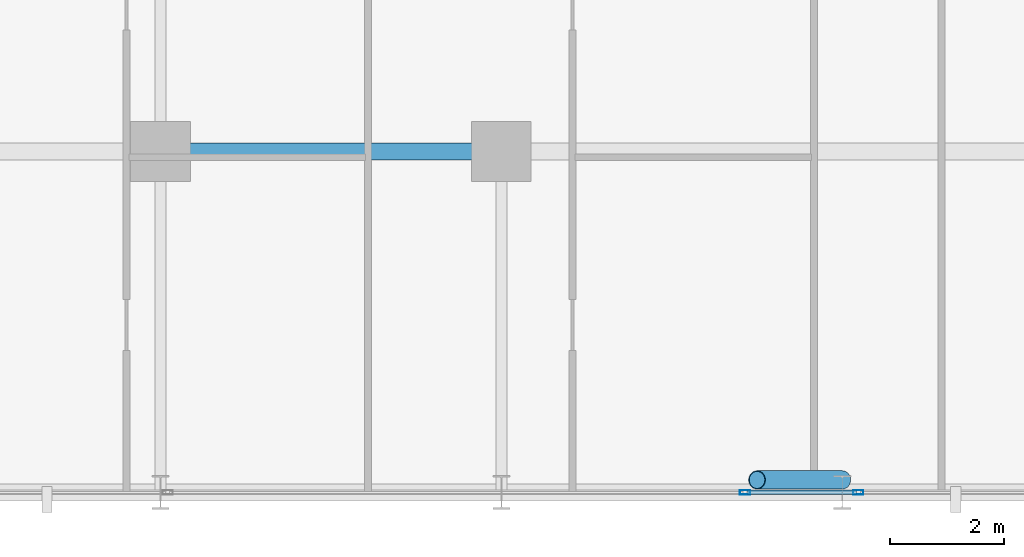
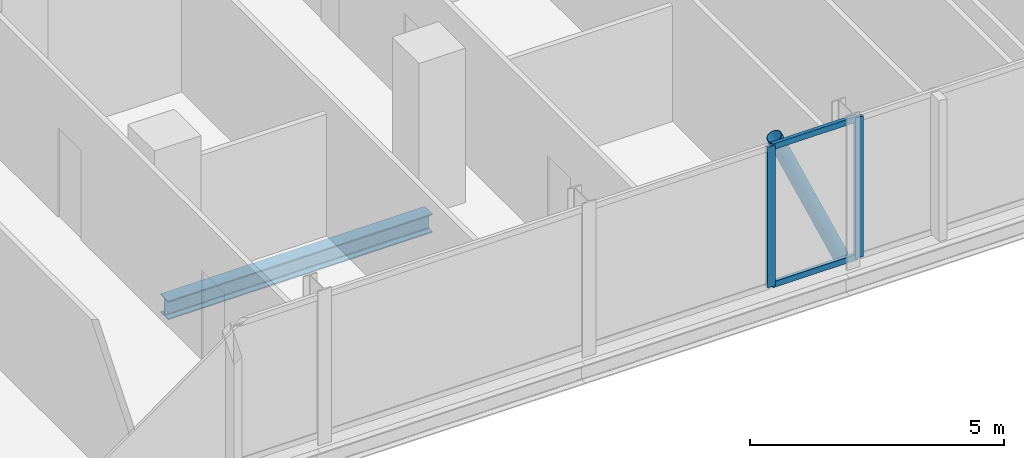
# One storey, part 8 of 30: 5 members, 1 beam, 2 elements without a shape of their own.
"""IFC4 building model written with IfcOpenShell, lengths in metres."""

from ifc_helpers import new_model, si_unit, direction, frame, origin, origin_2d, place, context, subcontext, project, spatial, hollow_rectangle, hollow_circle, i_section, extrude, material, layer, layer_set, material_profile, profile_set, type_object, element, aggregate, save


model = new_model("IFC4")

# Units and contexts
model_context = context("Model", 3, precision=1e-05, world=origin(), true_north=direction((0.0, 1.0)))
body_context = subcontext(model_context, "Body", "Model", "MODEL_VIEW")
ifc_project = project(units=[si_unit("LENGTHUNIT", "METRE"), si_unit("AREAUNIT", "SQUARE_METRE"), si_unit("VOLUMEUNIT", "CUBIC_METRE"), si_unit("PLANEANGLEUNIT", "RADIAN"), si_unit("MASSUNIT", "GRAM", prefix="KILO")], contexts=[model_context])

# Site, building, storey
site_placement = place(None, origin())
site = spatial("IfcSite", under=ifc_project, at=site_placement, CompositionType="ELEMENT")
building_placement = place(site_placement, origin())
building = spatial("IfcBuilding", under=site, at=building_placement, Name="Keshet Zoharim Tower", CompositionType="ELEMENT")
storey_placement = place(building_placement, frame((0.0, 0.0, 116.800048828125)))
storey = spatial("IfcBuildingStorey", under=building, at=storey_placement, Name="L28", CompositionType="ELEMENT", Elevation=116.800048828125)

# Beam
ifc_material_1 = material(Name="Steel S355", Category="steel")
ifc_material_profile_1 = material_profile(ifc_material_1, i_section(OverallWidth=0.300048828125, OverallDepth=0.449951171875, WebThickness=0.013916015625, FlangeThickness=0.02587890625, FilletRadius=0.027099609375, at=origin_2d()), Name="HEB450")
ifc_profile_set_1 = profile_set([ifc_material_profile_1], Name="Steel S355")
beam_type = type_object("IfcBeamType", Name="BM-WEB-HB450", PredefinedType="BEAM", material=ifc_profile_set_1)
beam_placement = place(storey_placement, frame((33.0, 6.699951171875, -0.5400390625), z_axis=(1.0, 0.0, 0.0), x_axis=(0.0, 1.0, 0.0)))
element("IfcBeam", 1, at=beam_placement, inside=storey, type_object=beam_type, Name="L28 Primary Girder X-007", PredefinedType="BEAM", context=body_context, shape_type="SweptSolid", body=[
    extrude(i_section(OverallWidth=0.300048828125, OverallDepth=0.449951171875, WebThickness=0.013916015625, FlangeThickness=0.02587890625, FilletRadius=0.027099609375, at=origin_2d()), origin(), (0.0, 0.0, 1.0), 6.0),
])

# Curtain wall, member
ifc_material_2 = material(Name="Aluminium 6063-T6", Category="aluminium")
ifc_layer = layer(ifc_material_2, 0.159912109375)
ifc_layer_set = layer_set([ifc_layer], Name="Aluminium 6063-T6")
curtain_wall_type = type_object("IfcCurtainWallType", Name="CW-SYS-03", PredefinedType="NOTDEFINED", material=ifc_layer_set)
curtain_wall_1_placement = place(storey_placement, origin())
curtain_wall_1 = element("IfcCurtainWall", 2, at=curtain_wall_1_placement, inside=storey, type_object=curtain_wall_type, Name="L28 Unitised Curtain Wall 03", PredefinedType="NOTDEFINED")
ifc_material_profile_2 = material_profile(ifc_material_2, hollow_rectangle(XDim=0.080078125, YDim=0.179931640625, WallThickness=0.00439453125, at=origin_2d()), Name="MUL-80x180")
ifc_profile_set_2 = profile_set([ifc_material_profile_2], Name="Aluminium 6063-T6")
member_type_1 = type_object("IfcMemberType", Name="CWM-M18", PredefinedType="MULLION", material=ifc_profile_set_2)
member_1_placement = place(storey_placement, frame((45.282958984375, 0.699951171875, 0.0), z_axis=(0.0, 0.0, 1.0), x_axis=(0.0, -1.0, 0.0)))
member_1 = element("IfcMember", 3, at=member_1_placement, type_object=member_type_1, Name="CW-03 mullion 2", PredefinedType="MULLION", context=body_context, shape_type="SweptSolid", body=[
    extrude(hollow_rectangle(XDim=0.080078125, YDim=0.179931640625, WallThickness=0.00439453125, at=origin_2d()), origin(), (0.0, 0.0, 1.0), 3.3798828125),
])
aggregate(curtain_wall_1, [member_1])

# Curtain wall, members
curtain_wall_2_placement = place(storey_placement, origin())
curtain_wall_2 = element("IfcCurtainWall", 4, at=curtain_wall_2_placement, inside=storey, type_object=curtain_wall_type, Name="L28 Unitised Curtain Wall 03 Part 2", PredefinedType="NOTDEFINED")
member_2_placement = place(storey_placement, frame((43.287109375, 0.699951171875, 0.0), z_axis=(0.0, 0.0, 1.0), x_axis=(0.0, -1.0, 0.0)))
member_2 = element("IfcMember", 5, at=member_2_placement, type_object=member_type_1, Name="CW-03 mullion 2", PredefinedType="MULLION", context=body_context, shape_type="SweptSolid", body=[
    extrude(hollow_rectangle(XDim=0.080078125, YDim=0.179931640625, WallThickness=0.00439453125, at=origin_2d()), origin(), (0.0, 0.0, 1.0), 3.3798828125),
])
ifc_material_profile_3 = material_profile(ifc_material_2, hollow_rectangle(XDim=0.080078125, YDim=0.139892578125, WallThickness=0.00390625, at=origin_2d()), Name="TRN-80x140")
ifc_profile_set_3 = profile_set([ifc_material_profile_3], Name="Aluminium 6063-T6")
member_type_2 = type_object("IfcMemberType", Name="CWT-T14", PredefinedType="USERDEFINED", material=ifc_profile_set_3)
member_3_placement = place(storey_placement, frame((45.248046875, 0.699951171875, 0.034912109375), z_axis=(-1.0, 0.0, 0.0), x_axis=(0.0, -1.0, 0.0)))
member_3 = element("IfcMember", 6, at=member_3_placement, type_object=member_type_2, Name="CW-03 transom 1.1", ObjectType="TRANSOM", PredefinedType="USERDEFINED", context=body_context, shape_type="SweptSolid", body=[
    extrude(hollow_rectangle(XDim=0.080078125, YDim=0.139892578125, WallThickness=0.00390625, at=origin_2d()), origin(), (0.0, 0.0, 1.0), 1.926025390625),
])
member_4_placement = place(storey_placement, frame((45.248046875, 0.699951171875, 3.344970703125), z_axis=(-1.0, 0.0, 0.0), x_axis=(0.0, -1.0, 0.0)))
member_4 = element("IfcMember", 7, at=member_4_placement, type_object=member_type_2, Name="CW-03 transom 1.2", ObjectType="TRANSOM", PredefinedType="USERDEFINED", context=body_context, shape_type="SweptSolid", body=[
    extrude(hollow_rectangle(XDim=0.080078125, YDim=0.139892578125, WallThickness=0.00390625, at=origin_2d()), origin(), (0.0, 0.0, 1.0), 1.926025390625),
])
aggregate(curtain_wall_2, [member_2, member_3, member_4])

# Member
ifc_material_profile_4 = material_profile(ifc_material_1, hollow_circle(Radius=0.161865234375, WallThickness=0.012451171875, at=origin_2d()), Name="CHS323x12.5")
ifc_profile_set_4 = profile_set([ifc_material_profile_4], Name="Steel S355")
member_type_3 = type_object("IfcMemberType", Name="MB-BR-C323", PredefinedType="BRACE", material=ifc_profile_set_4)
member_5_placement = place(storey_placement, frame((45.0, 0.919921875, 0.0), z_axis=(-0.405648336366, 0.0, 0.914029226668), x_axis=(0.0, -1.0, 0.0)))
element("IfcMember", 8, at=member_5_placement, inside=storey, type_object=member_type_3, Name="L28 Perimeter Tube Brace 04", PredefinedType="BRACE", context=body_context, shape_type="SweptSolid", body=[
    extrude(hollow_circle(Radius=0.161865234375, WallThickness=0.012451171875, at=origin_2d()), origin(), (0.0, 0.0, 1.0), 3.69775390625),
])

save(model, "model.ifc")
